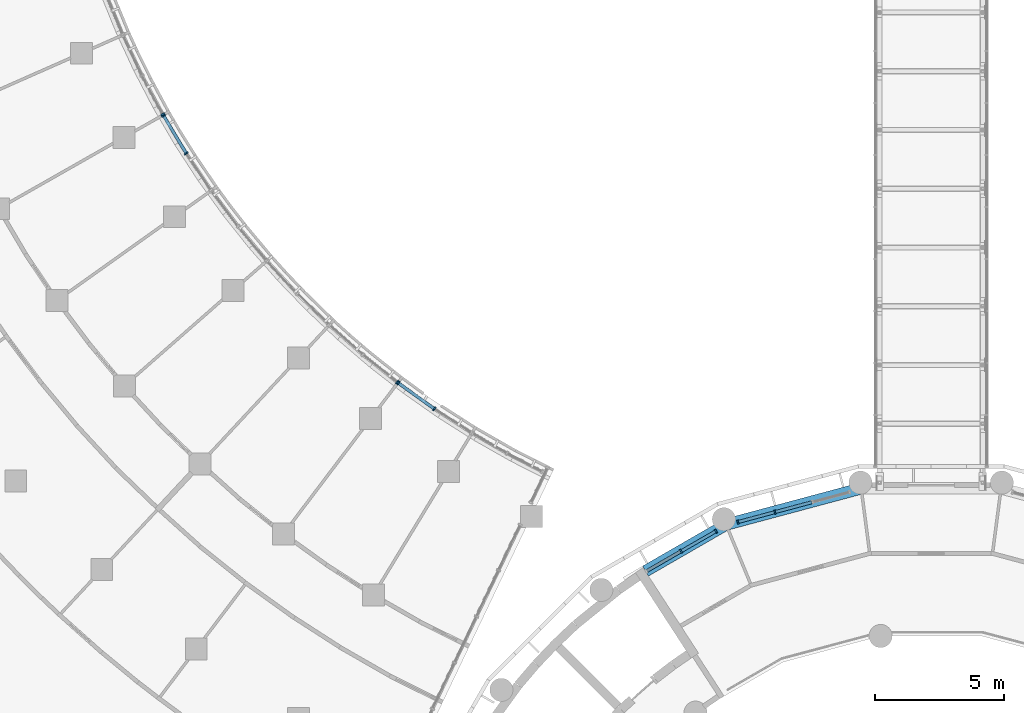
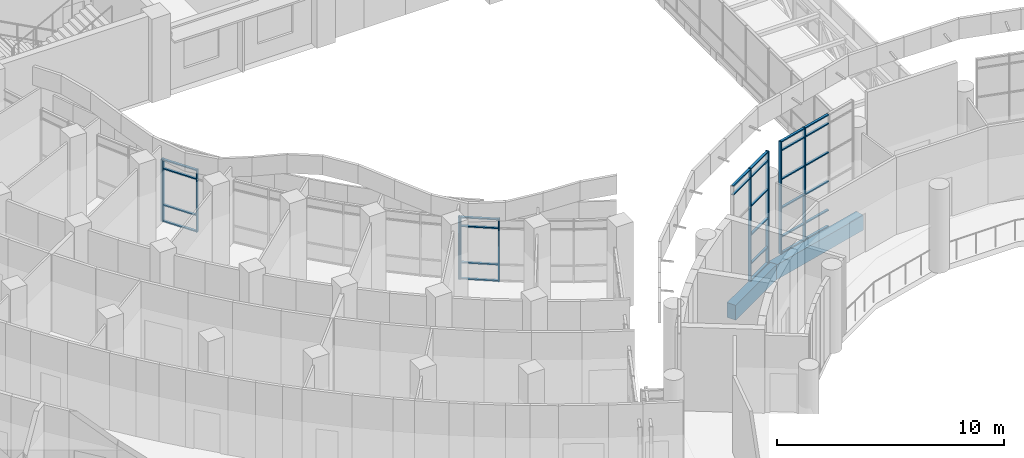
# One storey, part 21 of 136: 38 members, 2 beams, 6 elements without a shape of their own.
"""IFC4 building model written with IfcOpenShell, lengths in metres."""

from ifc_helpers import new_model, si_unit, direction, frame, origin, origin_2d, place, context, subcontext, project, spatial, rectangle, extrude, material, material_profile, profile_set, type_object, element, aggregate, save


model = new_model("IFC4")

# Units and contexts
model_context = context("Model", 3, precision=1e-05, world=origin(), true_north=direction((0.0, 1.0)))
body_context = subcontext(model_context, "Body", "Model", "MODEL_VIEW")
ifc_project = project(units=[si_unit("LENGTHUNIT", "METRE"), si_unit("AREAUNIT", "SQUARE_METRE"), si_unit("VOLUMEUNIT", "CUBIC_METRE"), si_unit("PLANEANGLEUNIT", "RADIAN"), si_unit("MASSUNIT", "GRAM", prefix="KILO")], contexts=[model_context])

# Site, building, storey
site_placement = place(None, origin())
site = spatial("IfcSite", under=ifc_project, at=site_placement, CompositionType="ELEMENT")
building_placement = place(site_placement, origin())
building = spatial("IfcBuilding", under=site, at=building_placement, Name="Bougainvillea Quay General Hospital", CompositionType="ELEMENT")
storey_placement = place(building_placement, frame((0.0, 0.0, 5.39990234375)))
storey = spatial("IfcBuildingStorey", under=building, at=storey_placement, Name="L01", CompositionType="ELEMENT", Elevation=5.39990234375)

# Curtain wall, members
ifc_material_1 = material(Name="Aluminium curtain wall system, powder-coated glazed", Category="aluminium")
curtain_wall_type_1 = type_object("IfcCurtainWallType", Name="Unitised curtain wall CW-2100", PredefinedType="NOTDEFINED", material=ifc_material_1)
curtain_wall_1_placement = place(storey_placement, origin())
curtain_wall_1 = element("IfcCurtainWall", 1, at=curtain_wall_1_placement, inside=storey, type_object=curtain_wall_type_1, Name="CW-W02 a11b1", PredefinedType="NOTDEFINED")
ifc_material_2 = material(Name="Aluminium mullion, powder-coated charcoal", Category="aluminium")
ifc_material_profile_1 = material_profile(ifc_material_2, rectangle(XDim=0.159912109375, YDim=0.06005859375, at=origin_2d()))
ifc_profile_set_1 = profile_set([ifc_material_profile_1], Name="Aluminium mullion, powder-coated charcoal")
member_type_1 = type_object("IfcMemberType", Name="Curtain wall mullion 160x60", PredefinedType="MULLION", material=ifc_profile_set_1)
member_1_placement = place(storey_placement, frame((89.939697265625, 97.6787109375, 0.0), z_axis=(0.0, 0.0, 1.0), x_axis=(-0.562343185136, -0.826903949762, 0.0)))
member_1 = element("IfcMember", 2, at=member_1_placement, type_object=member_type_1, Name="CW-W02 mullion 2", PredefinedType="MULLION", context=body_context, shape_type="SweptSolid", body=[
    extrude(rectangle(XDim=0.159912109375, YDim=0.06005859375, at=origin_2d()), origin(), (0.0, 0.0, 1.0), 3.35009765625),
])
member_2_placement = place(storey_placement, frame((88.552978515625, 98.674072265625, 0.0), z_axis=(0.0, 0.0, 1.0), x_axis=(-0.583130104218, -0.812378779606, 0.0)))
member_2 = element("IfcMember", 3, at=member_2_placement, type_object=member_type_1, Name="CW-W02 mullion 3", PredefinedType="MULLION", context=body_context, shape_type="SweptSolid", body=[
    extrude(rectangle(XDim=0.159912109375, YDim=0.06005859375, at=origin_2d()), origin(), (0.0, 0.0, 1.0), 3.35009765625),
])

# Curtain wall, member
curtain_wall_2_placement = place(storey_placement, origin())
curtain_wall_2 = element("IfcCurtainWall", 4, at=curtain_wall_2_placement, inside=storey, type_object=curtain_wall_type_1, Name="CW-W03 a11b2", PredefinedType="NOTDEFINED")
member_3_placement = place(storey_placement, frame((88.50537109375, 98.710205078125, 0.0), z_axis=(0.0, 0.0, 1.0), x_axis=(-0.623565824026, -0.781770850765, 0.0)))
member_3 = element("IfcMember", 5, at=member_3_placement, type_object=member_type_1, Name="CW-W03 mullion 1", PredefinedType="MULLION", context=body_context, shape_type="SweptSolid", body=[
    extrude(rectangle(XDim=0.159912109375, YDim=0.06005859375, at=origin_2d()), origin(), (0.0, 0.0, 1.0), 3.35009765625),
])
aggregate(curtain_wall_2, [member_3])

# Curtain wall, members
curtain_wall_3_placement = place(storey_placement, origin())
curtain_wall_3 = element("IfcCurtainWall", 6, at=curtain_wall_3_placement, inside=storey, type_object=curtain_wall_type_1, Name="CW-W06 a11b5", PredefinedType="NOTDEFINED")
member_4_placement = place(storey_placement, frame((80.32470703125, 107.580322265625, 0.0), z_axis=(0.0, 0.0, 1.0), x_axis=(-0.843072457331, -0.537799992275, 0.0)))
member_4 = element("IfcMember", 7, at=member_4_placement, type_object=member_type_1, Name="CW-W06 mullion 2", PredefinedType="MULLION", context=body_context, shape_type="SweptSolid", body=[
    extrude(rectangle(XDim=0.159912109375, YDim=0.06005859375, at=origin_2d()), origin(), (0.0, 0.0, 1.0), 3.35009765625),
])
member_5_placement = place(storey_placement, frame((79.443603515625, 109.042236328125, 0.0), z_axis=(0.0, 0.0, 1.0), x_axis=(-0.856438326455, -0.516249351553, 0.0)))
member_5 = element("IfcMember", 8, at=member_5_placement, type_object=member_type_1, Name="CW-W06 mullion 3", PredefinedType="MULLION", context=body_context, shape_type="SweptSolid", body=[
    extrude(rectangle(XDim=0.159912109375, YDim=0.06005859375, at=origin_2d()), origin(), (0.0, 0.0, 1.0), 3.35009765625),
])

# Curtain wall, member
curtain_wall_4_placement = place(storey_placement, origin())
curtain_wall_4 = element("IfcCurtainWall", 9, at=curtain_wall_4_placement, inside=storey, type_object=curtain_wall_type_1, Name="CW-W07 a11b6", PredefinedType="NOTDEFINED")
member_6_placement = place(storey_placement, frame((79.4140625, 109.094482421875, 0.0), z_axis=(0.0, 0.0, 1.0), x_axis=(-0.881509557333, -0.472166178724, 0.0)))
member_6 = element("IfcMember", 10, at=member_6_placement, type_object=member_type_1, Name="CW-W07 mullion 1", PredefinedType="MULLION", context=body_context, shape_type="SweptSolid", body=[
    extrude(rectangle(XDim=0.159912109375, YDim=0.06005859375, at=origin_2d()), origin(), (0.0, 0.0, 1.0), 3.35009765625),
])
aggregate(curtain_wall_4, [member_6])

# Curtain wall, members
curtain_wall_type_2 = type_object("IfcCurtainWallType", Name="Unitised curtain wall CW-1514", PredefinedType="NOTDEFINED", material=ifc_material_1)
curtain_wall_5_placement = place(storey_placement, origin())
curtain_wall_5 = element("IfcCurtainWall", 11, at=curtain_wall_5_placement, inside=storey, type_object=curtain_wall_type_2, Name="CW-D 00", PredefinedType="NOTDEFINED")
member_7_placement = place(storey_placement, frame((103.14501953125, 93.673095703125, 0.0), z_axis=(0.0, 0.0, 1.0), x_axis=(0.258854621298, -0.965916292974, 0.0)))
member_7 = element("IfcMember", 12, at=member_7_placement, type_object=member_type_1, Name="CW-D mullion 3", PredefinedType="MULLION", context=body_context, shape_type="SweptSolid", body=[
    extrude(rectangle(XDim=0.159912109375, YDim=0.06005859375, at=origin_2d()), origin(), (0.0, 0.0, 1.0), 6.050048828125),
])
member_8_placement = place(storey_placement, frame((101.711669921875, 93.2890625, 0.0), z_axis=(0.0, 0.0, 1.0), x_axis=(0.258854621298, -0.965916292974, 0.0)))
member_8 = element("IfcMember", 13, at=member_8_placement, type_object=member_type_1, Name="CW-D mullion 4", PredefinedType="MULLION", context=body_context, shape_type="SweptSolid", body=[
    extrude(rectangle(XDim=0.159912109375, YDim=0.06005859375, at=origin_2d()), origin(), (0.0, 0.0, 1.0), 6.050048828125),
])

curtain_wall_type_3 = type_object("IfcCurtainWallType", Name="Unitised curtain wall CW-1585", PredefinedType="NOTDEFINED", material=ifc_material_1)
curtain_wall_6_placement = place(storey_placement, origin())
curtain_wall_6 = element("IfcCurtainWall", 14, at=curtain_wall_6_placement, inside=storey, type_object=curtain_wall_type_3, Name="CW-D 00", PredefinedType="NOTDEFINED")
member_9_placement = place(storey_placement, frame((100.85595703125, 92.9345703125, 0.0), z_axis=(0.0, 0.0, 1.0), x_axis=(0.499964557262, -0.866045865692, 0.0)))
member_9 = element("IfcMember", 15, at=member_9_placement, type_object=member_type_1, Name="CW-D mullion 1", PredefinedType="MULLION", context=body_context, shape_type="SweptSolid", body=[
    extrude(rectangle(XDim=0.159912109375, YDim=0.06005859375, at=origin_2d()), origin(), (0.0, 0.0, 1.0), 6.050048828125),
])
member_10_placement = place(storey_placement, frame((99.50927734375, 92.156982421875, 0.0), z_axis=(0.0, 0.0, 1.0), x_axis=(0.499964557262, -0.866045865692, 0.0)))
member_10 = element("IfcMember", 16, at=member_10_placement, type_object=member_type_1, Name="CW-D mullion 2", PredefinedType="MULLION", context=body_context, shape_type="SweptSolid", body=[
    extrude(rectangle(XDim=0.159912109375, YDim=0.06005859375, at=origin_2d()), origin(), (0.0, 0.0, 1.0), 6.050048828125),
])

# Member
ifc_material_3 = material(Name="Aluminium transom, powder-coated charcoal", Category="aluminium")
ifc_material_profile_2 = material_profile(ifc_material_3, rectangle(XDim=0.1201171875, YDim=0.06005859375, at=origin_2d()))
ifc_profile_set_2 = profile_set([ifc_material_profile_2], Name="Aluminium transom, powder-coated charcoal")
member_type_2 = type_object("IfcMemberType", Name="Curtain wall transom 120x60", PredefinedType="USERDEFINED", material=ifc_profile_set_2)
member_11_placement = place(storey_placement, frame((89.91552734375, 97.696044921875, 0.030029296875), z_axis=(-0.812399348414, 0.583101448032, 0.0), x_axis=(-0.583101448032, -0.812399348414, 0.0)))
member_11 = element("IfcMember", 17, at=member_11_placement, type_object=member_type_2, Name="CW-W02 transom 2.1", ObjectType="TRANSOM", PredefinedType="USERDEFINED", context=body_context, shape_type="SweptSolid", body=[
    extrude(rectangle(XDim=0.1201171875, YDim=0.06005859375, at=origin_2d()), origin(), (0.0, 0.0, 1.0), 1.647216796875),
])

member_12_placement = place(storey_placement, frame((89.91552734375, 97.696044921875, 0.900146484375), z_axis=(-0.812399348414, 0.583101448032, 0.0), x_axis=(-0.583101448032, -0.812399348414, 0.0)))
member_12 = element("IfcMember", 18, at=member_12_placement, type_object=member_type_2, Name="CW-W02 transom 2.2", ObjectType="TRANSOM", PredefinedType="USERDEFINED", context=body_context, shape_type="SweptSolid", body=[
    extrude(rectangle(XDim=0.1201171875, YDim=0.06005859375, at=origin_2d()), origin(), (0.0, 0.0, 1.0), 1.647216796875),
])

member_13_placement = place(storey_placement, frame((89.91552734375, 97.696044921875, 2.85009765625), z_axis=(-0.812399348414, 0.583101448032, 0.0), x_axis=(-0.583101448032, -0.812399348414, 0.0)))
member_13 = element("IfcMember", 19, at=member_13_placement, type_object=member_type_2, Name="CW-W02 transom 2.3", ObjectType="TRANSOM", PredefinedType="USERDEFINED", context=body_context, shape_type="SweptSolid", body=[
    extrude(rectangle(XDim=0.1201171875, YDim=0.06005859375, at=origin_2d()), origin(), (0.0, 0.0, 1.0), 1.647216796875),
])

member_14_placement = place(storey_placement, frame((89.91552734375, 97.696044921875, 3.320068359375), z_axis=(-0.812399348414, 0.583101448032, 0.0), x_axis=(-0.583101448032, -0.812399348414, 0.0)))
member_14 = element("IfcMember", 20, at=member_14_placement, type_object=member_type_2, Name="CW-W02 transom 2.4", ObjectType="TRANSOM", PredefinedType="USERDEFINED", context=body_context, shape_type="SweptSolid", body=[
    extrude(rectangle(XDim=0.1201171875, YDim=0.06005859375, at=origin_2d()), origin(), (0.0, 0.0, 1.0), 1.647216796875),
])

aggregate(curtain_wall_1, [member_1, member_2, member_11, member_12, member_13, member_14])

member_15_placement = place(storey_placement, frame((80.309326171875, 107.606201171875, 0.030029296875), z_axis=(-0.516217069017, 0.856457785098, 0.0), x_axis=(-0.856457785098, -0.516217069017, 0.0)))
member_15 = element("IfcMember", 21, at=member_15_placement, type_object=member_type_2, Name="CW-W06 transom 2.1", ObjectType="TRANSOM", PredefinedType="USERDEFINED", context=body_context, shape_type="SweptSolid", body=[
    extrude(rectangle(XDim=0.1201171875, YDim=0.06005859375, at=origin_2d()), origin(), (0.0, 0.0, 1.0), 1.646728515625),
])

member_16_placement = place(storey_placement, frame((80.309326171875, 107.606201171875, 0.900146484375), z_axis=(-0.516217069017, 0.856457785098, 0.0), x_axis=(-0.856457785098, -0.516217069017, 0.0)))
member_16 = element("IfcMember", 22, at=member_16_placement, type_object=member_type_2, Name="CW-W06 transom 2.2", ObjectType="TRANSOM", PredefinedType="USERDEFINED", context=body_context, shape_type="SweptSolid", body=[
    extrude(rectangle(XDim=0.1201171875, YDim=0.06005859375, at=origin_2d()), origin(), (0.0, 0.0, 1.0), 1.646728515625),
])

member_17_placement = place(storey_placement, frame((80.309326171875, 107.606201171875, 2.85009765625), z_axis=(-0.516217069017, 0.856457785098, 0.0), x_axis=(-0.856457785098, -0.516217069017, 0.0)))
member_17 = element("IfcMember", 23, at=member_17_placement, type_object=member_type_2, Name="CW-W06 transom 2.3", ObjectType="TRANSOM", PredefinedType="USERDEFINED", context=body_context, shape_type="SweptSolid", body=[
    extrude(rectangle(XDim=0.1201171875, YDim=0.06005859375, at=origin_2d()), origin(), (0.0, 0.0, 1.0), 1.646728515625),
])

member_18_placement = place(storey_placement, frame((80.309326171875, 107.606201171875, 3.320068359375), z_axis=(-0.516217069017, 0.856457785098, 0.0), x_axis=(-0.856457785098, -0.516217069017, 0.0)))
member_18 = element("IfcMember", 24, at=member_18_placement, type_object=member_type_2, Name="CW-W06 transom 2.4", ObjectType="TRANSOM", PredefinedType="USERDEFINED", context=body_context, shape_type="SweptSolid", body=[
    extrude(rectangle(XDim=0.1201171875, YDim=0.06005859375, at=origin_2d()), origin(), (0.0, 0.0, 1.0), 1.646728515625),
])

aggregate(curtain_wall_3, [member_4, member_5, member_15, member_16, member_17, member_18])

member_19_placement = place(storey_placement, frame((104.578369140625, 94.05712890625, 0.030029296875), z_axis=(-0.965936059001, -0.258780853081, 0.0), x_axis=(0.258780853081, -0.965936059001, 0.0)))
member_19 = element("IfcMember", 25, at=member_19_placement, type_object=member_type_2, Name="CW-D transom 2.1", ObjectType="TRANSOM", PredefinedType="USERDEFINED", context=body_context, shape_type="SweptSolid", body=[
    extrude(rectangle(XDim=0.1201171875, YDim=0.06005859375, at=origin_2d()), origin(), (0.0, 0.0, 1.0), 1.453857421875),
])

member_20_placement = place(storey_placement, frame((104.578369140625, 94.05712890625, 0.900146484375), z_axis=(-0.965936059001, -0.258780853081, 0.0), x_axis=(0.258780853081, -0.965936059001, 0.0)))
member_20 = element("IfcMember", 26, at=member_20_placement, type_object=member_type_2, Name="CW-D transom 2.2", ObjectType="TRANSOM", PredefinedType="USERDEFINED", context=body_context, shape_type="SweptSolid", body=[
    extrude(rectangle(XDim=0.1201171875, YDim=0.06005859375, at=origin_2d()), origin(), (0.0, 0.0, 1.0), 1.453857421875),
])

member_21_placement = place(storey_placement, frame((104.578369140625, 94.05712890625, 2.4501953125), z_axis=(-0.965936059001, -0.258780853081, 0.0), x_axis=(0.258780853081, -0.965936059001, 0.0)))
member_21 = element("IfcMember", 27, at=member_21_placement, type_object=member_type_2, Name="CW-D transom 2.3", ObjectType="TRANSOM", PredefinedType="USERDEFINED", context=body_context, shape_type="SweptSolid", body=[
    extrude(rectangle(XDim=0.1201171875, YDim=0.06005859375, at=origin_2d()), origin(), (0.0, 0.0, 1.0), 1.453857421875),
])

member_22_placement = place(storey_placement, frame((104.578369140625, 94.05712890625, 4.0), z_axis=(-0.965936059001, -0.258780853081, 0.0), x_axis=(0.258780853081, -0.965936059001, 0.0)))
member_22 = element("IfcMember", 28, at=member_22_placement, type_object=member_type_2, Name="CW-D transom 2.4", ObjectType="TRANSOM", PredefinedType="USERDEFINED", context=body_context, shape_type="SweptSolid", body=[
    extrude(rectangle(XDim=0.1201171875, YDim=0.06005859375, at=origin_2d()), origin(), (0.0, 0.0, 1.0), 1.453857421875),
])

member_23_placement = place(storey_placement, frame((104.578369140625, 94.05712890625, 5.550048828125), z_axis=(-0.965936059001, -0.258780853081, 0.0), x_axis=(0.258780853081, -0.965936059001, 0.0)))
member_23 = element("IfcMember", 29, at=member_23_placement, type_object=member_type_2, Name="CW-D transom 2.5", ObjectType="TRANSOM", PredefinedType="USERDEFINED", context=body_context, shape_type="SweptSolid", body=[
    extrude(rectangle(XDim=0.1201171875, YDim=0.06005859375, at=origin_2d()), origin(), (0.0, 0.0, 1.0), 1.453857421875),
])

member_24_placement = place(storey_placement, frame((104.578369140625, 94.05712890625, 6.02001953125), z_axis=(-0.965936059001, -0.258780853081, 0.0), x_axis=(0.258780853081, -0.965936059001, 0.0)))
member_24 = element("IfcMember", 30, at=member_24_placement, type_object=member_type_2, Name="CW-D transom 2.6", ObjectType="TRANSOM", PredefinedType="USERDEFINED", context=body_context, shape_type="SweptSolid", body=[
    extrude(rectangle(XDim=0.1201171875, YDim=0.06005859375, at=origin_2d()), origin(), (0.0, 0.0, 1.0), 1.453857421875),
])

member_25_placement = place(storey_placement, frame((103.115966796875, 93.665283203125, 0.030029296875), z_axis=(-0.965898291136, -0.258921785836, 0.0), x_axis=(0.258921785836, -0.965898291136, 0.0)))
member_25 = element("IfcMember", 31, at=member_25_placement, type_object=member_type_2, Name="CW-D transom 3.1", ObjectType="TRANSOM", PredefinedType="USERDEFINED", context=body_context, shape_type="SweptSolid", body=[
    extrude(rectangle(XDim=0.1201171875, YDim=0.06005859375, at=origin_2d()), origin(), (0.0, 0.0, 1.0), 1.423828125),
])

member_26_placement = place(storey_placement, frame((103.115966796875, 93.665283203125, 0.900146484375), z_axis=(-0.965898291136, -0.258921785836, 0.0), x_axis=(0.258921785836, -0.965898291136, 0.0)))
member_26 = element("IfcMember", 32, at=member_26_placement, type_object=member_type_2, Name="CW-D transom 3.2", ObjectType="TRANSOM", PredefinedType="USERDEFINED", context=body_context, shape_type="SweptSolid", body=[
    extrude(rectangle(XDim=0.1201171875, YDim=0.06005859375, at=origin_2d()), origin(), (0.0, 0.0, 1.0), 1.423828125),
])

member_27_placement = place(storey_placement, frame((103.115966796875, 93.665283203125, 2.4501953125), z_axis=(-0.965898291136, -0.258921785836, 0.0), x_axis=(0.258921785836, -0.965898291136, 0.0)))
member_27 = element("IfcMember", 33, at=member_27_placement, type_object=member_type_2, Name="CW-D transom 3.3", ObjectType="TRANSOM", PredefinedType="USERDEFINED", context=body_context, shape_type="SweptSolid", body=[
    extrude(rectangle(XDim=0.1201171875, YDim=0.06005859375, at=origin_2d()), origin(), (0.0, 0.0, 1.0), 1.423828125),
])

member_28_placement = place(storey_placement, frame((103.115966796875, 93.665283203125, 4.0), z_axis=(-0.965898291136, -0.258921785836, 0.0), x_axis=(0.258921785836, -0.965898291136, 0.0)))
member_28 = element("IfcMember", 34, at=member_28_placement, type_object=member_type_2, Name="CW-D transom 3.4", ObjectType="TRANSOM", PredefinedType="USERDEFINED", context=body_context, shape_type="SweptSolid", body=[
    extrude(rectangle(XDim=0.1201171875, YDim=0.06005859375, at=origin_2d()), origin(), (0.0, 0.0, 1.0), 1.423828125),
])

member_29_placement = place(storey_placement, frame((103.115966796875, 93.665283203125, 5.550048828125), z_axis=(-0.965898291136, -0.258921785836, 0.0), x_axis=(0.258921785836, -0.965898291136, 0.0)))
member_29 = element("IfcMember", 35, at=member_29_placement, type_object=member_type_2, Name="CW-D transom 3.5", ObjectType="TRANSOM", PredefinedType="USERDEFINED", context=body_context, shape_type="SweptSolid", body=[
    extrude(rectangle(XDim=0.1201171875, YDim=0.06005859375, at=origin_2d()), origin(), (0.0, 0.0, 1.0), 1.423828125),
])

member_30_placement = place(storey_placement, frame((103.115966796875, 93.665283203125, 6.02001953125), z_axis=(-0.965898291136, -0.258921785836, 0.0), x_axis=(0.258921785836, -0.965898291136, 0.0)))
member_30 = element("IfcMember", 36, at=member_30_placement, type_object=member_type_2, Name="CW-D transom 3.6", ObjectType="TRANSOM", PredefinedType="USERDEFINED", context=body_context, shape_type="SweptSolid", body=[
    extrude(rectangle(XDim=0.1201171875, YDim=0.06005859375, at=origin_2d()), origin(), (0.0, 0.0, 1.0), 1.423828125),
])

aggregate(curtain_wall_5, [member_7, member_8, member_19, member_20, member_21, member_22, member_23, member_24, member_25, member_26, member_27, member_28, member_29, member_30])

member_31_placement = place(storey_placement, frame((100.830078125, 92.91943359375, 0.030029296875), z_axis=(-0.866074087889, -0.499915667175, 0.0), x_axis=(0.499915667175, -0.866074087889, 0.0)))
member_31 = element("IfcMember", 37, at=member_31_placement, type_object=member_type_2, Name="CW-D transom 1.1", ObjectType="TRANSOM", PredefinedType="USERDEFINED", context=body_context, shape_type="SweptSolid", body=[
    extrude(rectangle(XDim=0.1201171875, YDim=0.06005859375, at=origin_2d()), origin(), (0.0, 0.0, 1.0), 1.494873046875),
])

member_32_placement = place(storey_placement, frame((100.830078125, 92.91943359375, 0.900146484375), z_axis=(-0.866074087889, -0.499915667175, 0.0), x_axis=(0.499915667175, -0.866074087889, 0.0)))
member_32 = element("IfcMember", 38, at=member_32_placement, type_object=member_type_2, Name="CW-D transom 1.2", ObjectType="TRANSOM", PredefinedType="USERDEFINED", context=body_context, shape_type="SweptSolid", body=[
    extrude(rectangle(XDim=0.1201171875, YDim=0.06005859375, at=origin_2d()), origin(), (0.0, 0.0, 1.0), 1.494873046875),
])

member_33_placement = place(storey_placement, frame((100.830078125, 92.91943359375, 2.4501953125), z_axis=(-0.866074087889, -0.499915667175, 0.0), x_axis=(0.499915667175, -0.866074087889, 0.0)))
member_33 = element("IfcMember", 39, at=member_33_placement, type_object=member_type_2, Name="CW-D transom 1.3", ObjectType="TRANSOM", PredefinedType="USERDEFINED", context=body_context, shape_type="SweptSolid", body=[
    extrude(rectangle(XDim=0.1201171875, YDim=0.06005859375, at=origin_2d()), origin(), (0.0, 0.0, 1.0), 1.494873046875),
])

member_34_placement = place(storey_placement, frame((100.830078125, 92.91943359375, 4.0), z_axis=(-0.866074087889, -0.499915667175, 0.0), x_axis=(0.499915667175, -0.866074087889, 0.0)))
member_34 = element("IfcMember", 40, at=member_34_placement, type_object=member_type_2, Name="CW-D transom 1.4", ObjectType="TRANSOM", PredefinedType="USERDEFINED", context=body_context, shape_type="SweptSolid", body=[
    extrude(rectangle(XDim=0.1201171875, YDim=0.06005859375, at=origin_2d()), origin(), (0.0, 0.0, 1.0), 1.494873046875),
])

member_35_placement = place(storey_placement, frame((100.830078125, 92.91943359375, 5.550048828125), z_axis=(-0.866074087889, -0.499915667175, 0.0), x_axis=(0.499915667175, -0.866074087889, 0.0)))
member_35 = element("IfcMember", 41, at=member_35_placement, type_object=member_type_2, Name="CW-D transom 1.5", ObjectType="TRANSOM", PredefinedType="USERDEFINED", context=body_context, shape_type="SweptSolid", body=[
    extrude(rectangle(XDim=0.1201171875, YDim=0.06005859375, at=origin_2d()), origin(), (0.0, 0.0, 1.0), 1.494873046875),
])

member_36_placement = place(storey_placement, frame((100.830078125, 92.91943359375, 6.02001953125), z_axis=(-0.866074087889, -0.499915667175, 0.0), x_axis=(0.499915667175, -0.866074087889, 0.0)))
member_36 = element("IfcMember", 42, at=member_36_placement, type_object=member_type_2, Name="CW-D transom 1.6", ObjectType="TRANSOM", PredefinedType="USERDEFINED", context=body_context, shape_type="SweptSolid", body=[
    extrude(rectangle(XDim=0.1201171875, YDim=0.06005859375, at=origin_2d()), origin(), (0.0, 0.0, 1.0), 1.494873046875),
])

member_37_placement = place(storey_placement, frame((99.4833984375, 92.14208984375, 5.550048828125), z_axis=(-0.866074087889, -0.499915667175, 0.0), x_axis=(0.499915667175, -0.866074087889, 0.0)))
member_37 = element("IfcMember", 43, at=member_37_placement, type_object=member_type_2, Name="CW-D transom 2.5", ObjectType="TRANSOM", PredefinedType="USERDEFINED", context=body_context, shape_type="SweptSolid", body=[
    extrude(rectangle(XDim=0.1201171875, YDim=0.06005859375, at=origin_2d()), origin(), (0.0, 0.0, 1.0), 1.494873046875),
])

member_38_placement = place(storey_placement, frame((99.4833984375, 92.14208984375, 6.02001953125), z_axis=(-0.866074087889, -0.499915667175, 0.0), x_axis=(0.499915667175, -0.866074087889, 0.0)))
member_38 = element("IfcMember", 44, at=member_38_placement, type_object=member_type_2, Name="CW-D transom 2.6", ObjectType="TRANSOM", PredefinedType="USERDEFINED", context=body_context, shape_type="SweptSolid", body=[
    extrude(rectangle(XDim=0.1201171875, YDim=0.06005859375, at=origin_2d()), origin(), (0.0, 0.0, 1.0), 1.494873046875),
])

aggregate(curtain_wall_6, [member_9, member_10, member_31, member_32, member_33, member_34, member_35, member_36, member_37, member_38])

# Beams
ifc_material_4 = material(Name="Concrete C40", Category="concrete")
ifc_material_profile_3 = material_profile(ifc_material_4, rectangle(XDim=0.449951171875, YDim=0.800048828125, at=origin_2d()))
ifc_profile_set_3 = profile_set([ifc_material_profile_3], Name="Concrete C40")
beam_type = type_object("IfcBeamType", Name="RC BEAM 450x800 C40", PredefinedType="BEAM", material=ifc_profile_set_3)
beam_1_placement = place(storey_placement, frame((106.517333984375, 94.602783203125, -0.699951171875), z_axis=(-0.965909681024, -0.258879292535, 0.0), x_axis=(0.258879292535, -0.965909681024, 0.0)))
element("IfcBeam", 45, at=beam_1_placement, inside=storey, type_object=beam_type, Name="Edge beam L01", PredefinedType="BEAM", context=body_context, shape_type="SweptSolid", body=[
    extrude(rectangle(XDim=0.449951171875, YDim=0.800048828125, at=origin_2d()), origin(), (0.0, 0.0, 1.0), 5.48193359375),
])
beam_2_placement = place(storey_placement, frame((101.276611328125, 93.2060546875, -0.699951171875), z_axis=(-0.866055803848, -0.499947341849, 0.0), x_axis=(0.499947341849, -0.866055803848, 0.0)))
element("IfcBeam", 46, at=beam_2_placement, inside=storey, type_object=beam_type, Name="Edge beam L01", PredefinedType="BEAM", context=body_context, shape_type="SweptSolid", body=[
    extrude(rectangle(XDim=0.449951171875, YDim=0.800048828125, at=origin_2d()), origin(), (0.0, 0.0, 1.0), 3.6337890625),
])

save(model, "model.ifc")
